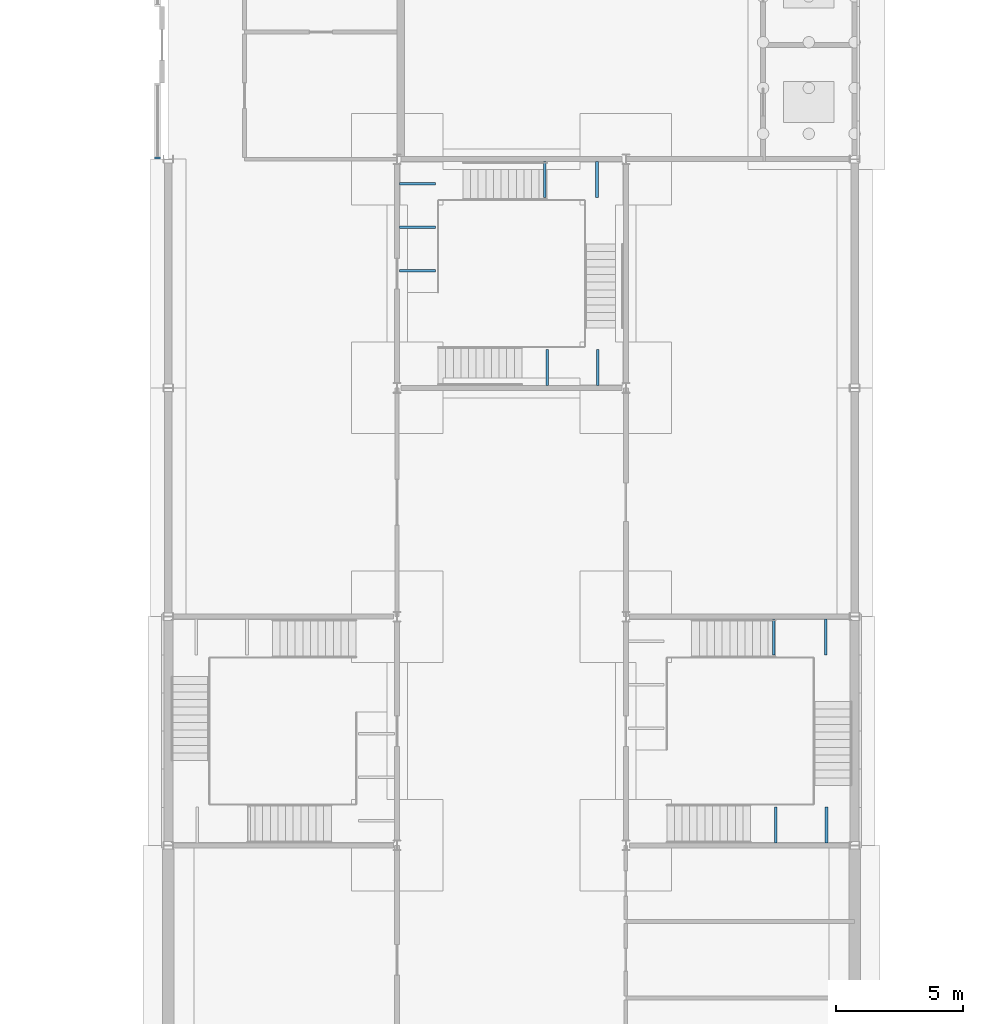
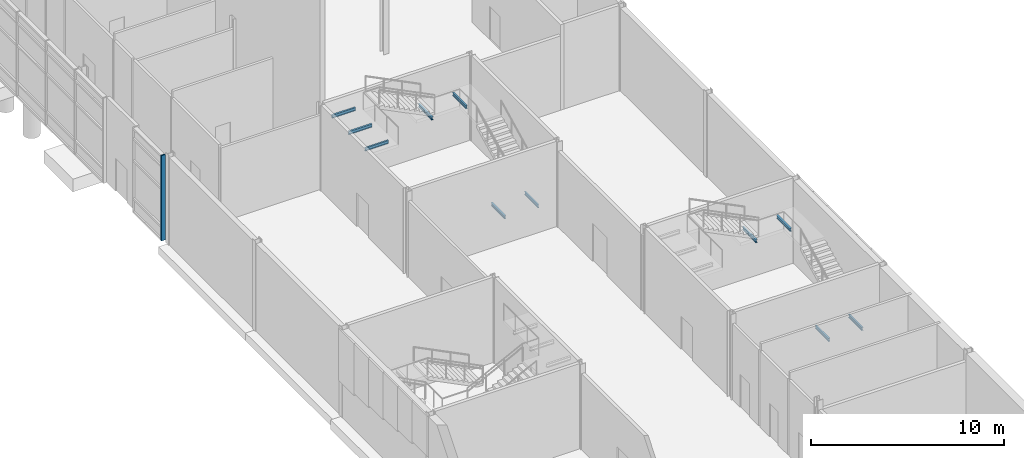
# One storey, part 12 of 45: 11 beams, 1 member, 1 element without a shape of its own.
"""IFC4 building model written with IfcOpenShell, lengths in metres."""

from ifc_helpers import new_model, si_unit, direction, frame, origin, origin_2d, place, context, subcontext, project, spatial, rectangle, i_section, extrude, material, material_profile, profile_set, type_object, element, aggregate, save


model = new_model("IFC4")

# Units and contexts
model_context = context("Model", 3, precision=1e-05, world=origin(), true_north=direction((0.0, 1.0)))
body_context = subcontext(model_context, "Body", "Model", "MODEL_VIEW")
ifc_project = project(units=[si_unit("LENGTHUNIT", "METRE"), si_unit("AREAUNIT", "SQUARE_METRE"), si_unit("VOLUMEUNIT", "CUBIC_METRE"), si_unit("PLANEANGLEUNIT", "RADIAN"), si_unit("MASSUNIT", "GRAM", prefix="KILO")], contexts=[model_context])

# Site, building, storey
site_placement = place(None, origin())
site = spatial("IfcSite", under=ifc_project, at=site_placement, CompositionType="ELEMENT")
building_placement = place(site_placement, origin())
building = spatial("IfcBuilding", under=site, at=building_placement, Name="Azimuth Sports and Learning Centre", CompositionType="ELEMENT")
storey_placement = place(building_placement, origin())
storey = spatial("IfcBuildingStorey", under=building, at=storey_placement, Name="L00", CompositionType="ELEMENT", Elevation=0.0)

# Beams
ifc_material_1 = material(Name="Steel S355", Category="steel")
ifc_material_profile_1 = material_profile(ifc_material_1, i_section(OverallWidth=0.10009765625, OverallDepth=0.199951171875, WebThickness=0.005615234375, FlangeThickness=0.008544921875, FilletRadius=0.011962890625, at=origin_2d()), Name="IPE 200")
ifc_profile_set_1 = profile_set([ifc_material_profile_1], Name="Steel S355")
beam_type = type_object("IfcBeamType", Name="Beam IPE 200", PredefinedType="BEAM", material=ifc_profile_set_1)
for number, where, z_axis, x_axis, name in (
    (1, (95.904541015625, 27.10009765625, 1.5), (0.0, 1.0, 0.0), (-1.0, 0.0, 0.0), "Landing bracket ST4 L00 1093"),
    (2, (97.894775390625, 27.10009765625, 1.5), (0.0, 1.0, 0.0), (-1.0, 0.0, 0.0), "Landing bracket ST4 L00 1094"),
    (3, (95.81494140625, 35.89990234375, 3.300048828125), (0.0, -1.0, 0.0), (1.0, 0.0, 0.0), "Landing bracket ST4 L00 1095"),
    (4, (97.864990234375, 35.89990234375, 3.300048828125), (0.0, -1.0, 0.0), (1.0, 0.0, 0.0), "Landing bracket ST4 L00 1096"),
    (5, (86.904541015625, 45.10009765625, 1.5), (0.0, 1.0, 0.0), (-1.0, 0.0, 0.0), "Landing bracket STC L00 1127"),
    (6, (88.894775390625, 45.10009765625, 1.5), (0.0, 1.0, 0.0), (-1.0, 0.0, 0.0), "Landing bracket STC L00 1128"),
    (7, (86.81494140625, 53.89990234375, 3.300048828125), (0.0, -1.0, 0.0), (1.0, 0.0, 0.0), "Landing bracket STC L00 1129"),
    (8, (88.864990234375, 53.89990234375, 3.300048828125), (0.0, -1.0, 0.0), (1.0, 0.0, 0.0), "Landing bracket STC L00 1130"),
    (9, (81.10009765625, 49.606689453125, 5.10009765625), (1.0, 0.0, 0.0), (0.0, 1.0, 0.0), "Landing bracket STC L00 1131"),
    (10, (81.10009765625, 51.320068359375, 5.10009765625), (1.0, 0.0, 0.0), (0.0, 1.0, 0.0), "Landing bracket STC L00 1132"),
    (11, (81.10009765625, 53.033447265625, 5.10009765625), (1.0, 0.0, 0.0), (0.0, 1.0, 0.0), "Landing bracket STC L00 1133"),
):
    element("IfcBeam", number, at=place(storey_placement, frame(where, z_axis=z_axis, x_axis=x_axis)), inside=storey, type_object=beam_type, Name=name, PredefinedType="BEAM", context=body_context, shape_type="SweptSolid", body=[
        extrude(i_section(OverallWidth=0.10009765625, OverallDepth=0.199951171875, WebThickness=0.005615234375, FlangeThickness=0.008544921875, FilletRadius=0.011962890625, at=origin_2d()), origin(), (0.0, 0.0, 1.0), 1.409912109375),
    ])

# Curtain wall, member
ifc_material_2 = material(Name="Aluminium and glass", Category="aluminium")
curtain_wall_type = type_object("IfcCurtainWallType", Name="Curtain wall podium stem 240", PredefinedType="NOTDEFINED", material=ifc_material_2)
curtain_wall_placement = place(storey_placement, origin())
curtain_wall = element("IfcCurtainWall", 12, at=curtain_wall_placement, inside=storey, type_object=curtain_wall_type, Name="Curtain wall CW00-005", PredefinedType="NOTDEFINED")
ifc_material_3 = material(Name="Aluminium", Category="aluminium")
ifc_material_profile_2 = material_profile(ifc_material_3, rectangle(XDim=0.239990234375, YDim=0.080078125, at=origin_2d()), Name="Mullion 80x240")
ifc_profile_set_2 = profile_set([ifc_material_profile_2], Name="Aluminium")
member_type = type_object("IfcMemberType", Name="Mullion 80x240", PredefinedType="MULLION", material=ifc_profile_set_2)
member_placement = place(storey_placement, frame((71.580078125, 54.0400390625, 0.0), z_axis=(0.0, 0.0, 1.0), x_axis=(1.0, 0.0, 0.0)))
member = element("IfcMember", 13, at=member_placement, type_object=member_type, Name="CW00-005 mullion 2", PredefinedType="MULLION", context=body_context, shape_type="SweptSolid", body=[
    extrude(rectangle(XDim=0.239990234375, YDim=0.080078125, at=origin_2d()), origin(), (0.0, 0.0, 1.0), 5.39990234375),
])
aggregate(curtain_wall, [member])

save(model, "model.ifc")
